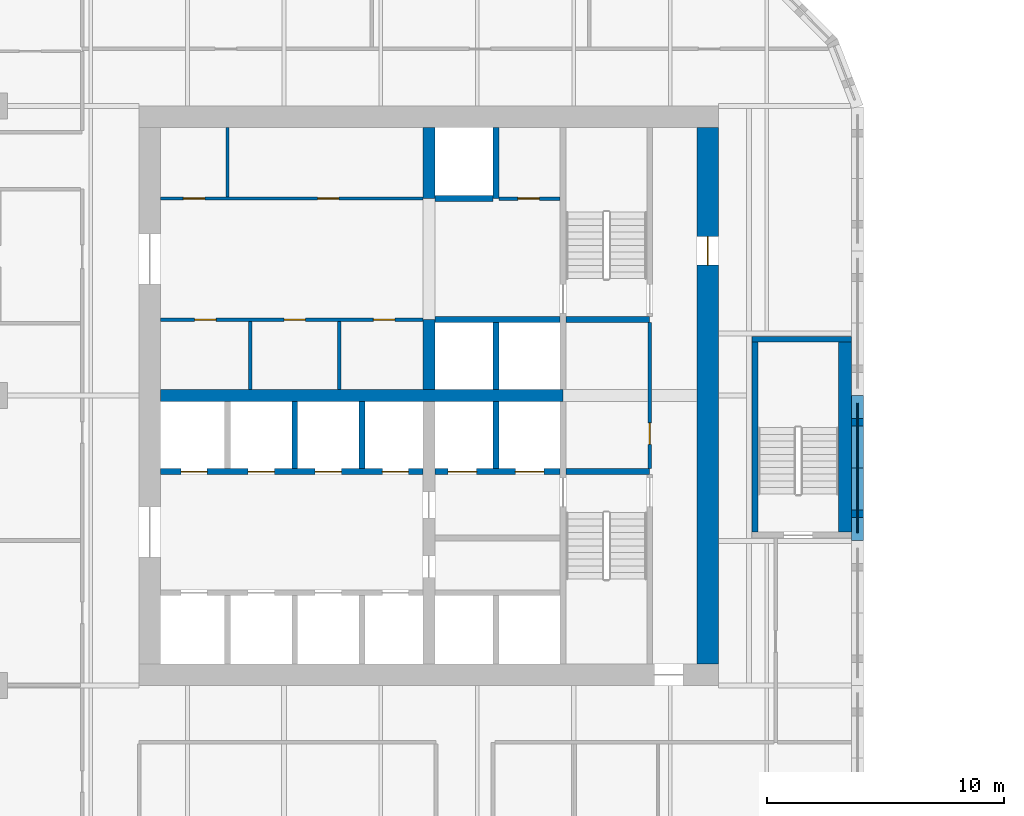
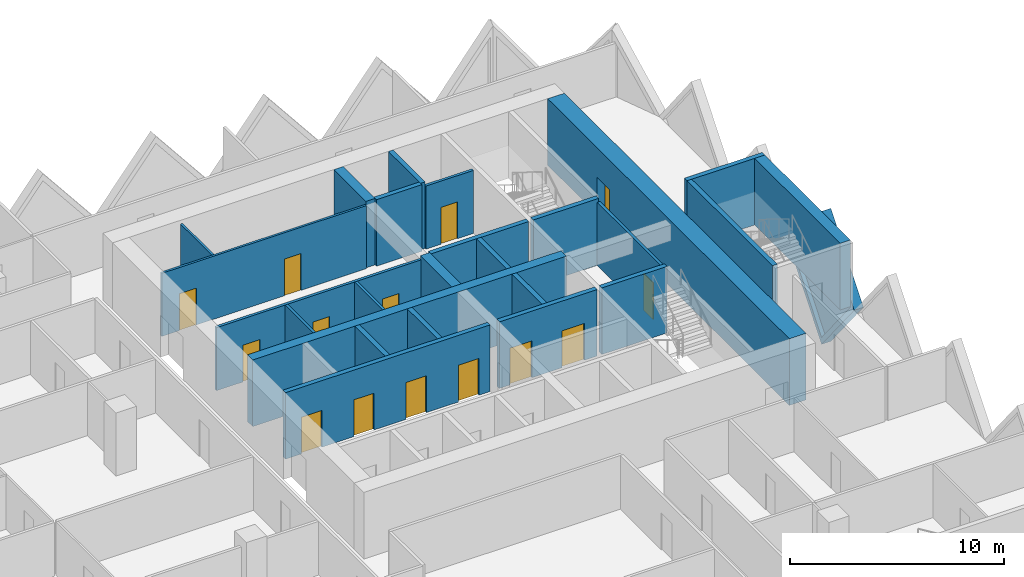
# One storey, part 9 of 18: 26 walls, 14 doors, 1 plate, 15 openings.
"""IFC4 building model written with IfcOpenShell, lengths in metres."""

from ifc_helpers import new_model, si_unit, direction, frame, frame_2d, origin, place, context, subcontext, project, spatial, polyline, rectangle, outline, extrude, source, transform, mapped, material, layer, layer_set, type_object, element, fill, save


model = new_model("IFC4")

# Units and contexts
model_context = context("Model", 3, precision=1e-05, world=origin(), true_north=direction((0.0, 1.0)))
body_context = subcontext(model_context, "Body", "Model", "MODEL_VIEW")
ifc_project = project(units=[si_unit("LENGTHUNIT", "METRE"), si_unit("AREAUNIT", "SQUARE_METRE"), si_unit("VOLUMEUNIT", "CUBIC_METRE"), si_unit("PLANEANGLEUNIT", "RADIAN"), si_unit("MASSUNIT", "GRAM", prefix="KILO")], contexts=[model_context])

# Site, building, storey
site_placement = place(None, origin())
site = spatial("IfcSite", under=ifc_project, at=site_placement, CompositionType="ELEMENT")
building_placement = place(site_placement, origin())
building = spatial("IfcBuilding", under=site, at=building_placement, Name="Tessera Gate Towers", CompositionType="ELEMENT")
storey_placement = place(building_placement, frame((0.0, 0.0, 56.199951171875)))
storey = spatial("IfcBuildingStorey", under=building, at=storey_placement, Name="L13", CompositionType="ELEMENT", Elevation=56.199951171875)

# Wall, openings, doors
ifc_material_1 = material(Name="Concrete C40/50", Category="concrete")
ifc_layer_1 = layer(ifc_material_1, 0.25)
ifc_layer_set_1 = layer_set([ifc_layer_1], Name="CORE ENCLOSURE WALL 250")
wall_type_1 = type_object("IfcWallType", Name="CORE ENCLOSURE WALL 250", PredefinedType="SOLIDWALL", material=ifc_layer_set_1)
wall_1_placement = place(storey_placement, frame((42.449951171875, 33.39990234375, 0.0), z_axis=(0.0, 0.0, 1.0), x_axis=(-1.0, 0.0, 0.0)))
wall_1 = element("IfcWall", 1, at=wall_1_placement, inside=storey, type_object=wall_type_1, Name="L13 shaft and stair enclosure wall", PredefinedType="SOLIDWALL", context=body_context, shape_type="SweptSolid", body=[
    extrude(rectangle(XDim=11.050048828125, YDim=0.25, at=frame_2d((5.52490234375, 0.0))), origin(), (0.0, 0.0, 1.0), 3.800048828125),
])
shared_shape_1 = source(origin(), body_context, "Body", "SweptSolid", [
    extrude(rectangle(XDim=1.10009765625, YDim=2.10009765625, at=frame_2d((0.550048828125, 1.050048828125))), frame((0.0, 0.135009765625, 0.0), z_axis=(0.0, -1.0, 0.0), x_axis=(1.0, 0.0, 0.0)), (0.0, 0.0, 1.0), 0.27001953125),
])
opening_1_placement = place(wall_1_placement, frame((9.08740234375, 0.0, 0.0)))
opening_1 = element("IfcOpeningElement", 2, at=opening_1_placement, cuts=wall_1, Name="Opening LD-LR5", PredefinedType="OPENING", context=body_context, shape_type="MappedRepresentation", body=[
    mapped(shared_shape_1, transform((0.0, 0.0, 0.0), scale=1.0)),
])
opening_2_placement = place(wall_1_placement, frame((6.262451171875, 0.0, 0.0)))
opening_2 = element("IfcOpeningElement", 3, at=opening_2_placement, cuts=wall_1, Name="Opening LD-LR6", PredefinedType="OPENING", context=body_context, shape_type="MappedRepresentation", body=[
    mapped(shared_shape_1, transform((0.0, 0.0, 0.0), scale=1.0)),
])
opening_3_placement = place(wall_1_placement, frame((3.4375, 0.0, 0.0)))
opening_3 = element("IfcOpeningElement", 4, at=opening_3_placement, cuts=wall_1, Name="Opening LD-LR7", PredefinedType="OPENING", context=body_context, shape_type="MappedRepresentation", body=[
    mapped(shared_shape_1, transform((0.0, 0.0, 0.0), scale=1.0)),
])
opening_4_placement = place(wall_1_placement, frame((0.612548828125, 0.0, 0.0)))
opening_4 = element("IfcOpeningElement", 5, at=opening_4_placement, cuts=wall_1, Name="Opening LD-LR8", PredefinedType="OPENING", context=body_context, shape_type="MappedRepresentation", body=[
    mapped(shared_shape_1, transform((0.0, 0.0, 0.0), scale=1.0)),
])
ifc_material_2 = material(Name="Stainless steel", Category="steel")
door_type_1 = type_object("IfcDoorType", Name="CORE DOOR LD 1100x2100", OperationType="DOUBLE_DOOR_SLIDING", PredefinedType="DOOR", material=ifc_material_2)
shared_shape_2 = source(origin(), body_context, "Body", "SweptSolid", [
    extrude(rectangle(XDim=1.10009765625, YDim=2.10009765625, at=frame_2d((0.550048828125, 1.050048828125))), frame((0.0, 0.02490234375, 0.0), z_axis=(0.0, -1.0, 0.0), x_axis=(1.0, 0.0, 0.0)), (0.0, 0.0, 1.0), 0.050048828125),
])
door_1_placement = place(opening_1_placement, origin())
door_1 = element("IfcDoor", 6, at=door_1_placement, inside=storey, type_object=door_type_1, Name="Landing door LR5 L13", OperationType="DOUBLE_DOOR_SLIDING", OverallHeight=2.10009765625, OverallWidth=1.10009765625, PredefinedType="DOOR", context=body_context, shape_type="MappedRepresentation", body=[
    mapped(shared_shape_2, transform((0.0, 0.0, 0.0), scale=1.0)),
])
fill(opening_1, door_1)
door_2_placement = place(opening_2_placement, origin())
door_2 = element("IfcDoor", 7, at=door_2_placement, inside=storey, type_object=door_type_1, Name="Landing door LR6 L13", OperationType="DOUBLE_DOOR_SLIDING", OverallHeight=2.10009765625, OverallWidth=1.10009765625, PredefinedType="DOOR", context=body_context, shape_type="MappedRepresentation", body=[
    mapped(shared_shape_2, transform((0.0, 0.0, 0.0), scale=1.0)),
])
fill(opening_2, door_2)
door_3_placement = place(opening_3_placement, origin())
door_3 = element("IfcDoor", 8, at=door_3_placement, inside=storey, type_object=door_type_1, Name="Landing door LR7 L13", OperationType="DOUBLE_DOOR_SLIDING", OverallHeight=2.10009765625, OverallWidth=1.10009765625, PredefinedType="DOOR", context=body_context, shape_type="MappedRepresentation", body=[
    mapped(shared_shape_2, transform((0.0, 0.0, 0.0), scale=1.0)),
])
fill(opening_3, door_3)
door_4_placement = place(opening_4_placement, origin())
door_4 = element("IfcDoor", 9, at=door_4_placement, inside=storey, type_object=door_type_1, Name="Landing door LR8 L13", OperationType="DOUBLE_DOOR_SLIDING", OverallHeight=2.10009765625, OverallWidth=1.10009765625, PredefinedType="DOOR", context=body_context, shape_type="MappedRepresentation", body=[
    mapped(shared_shape_2, transform((0.0, 0.0, 0.0), scale=1.0)),
])
fill(opening_4, door_4)

wall_2_placement = place(storey_placement, frame((48.22509765625, 33.39990234375, 0.0), z_axis=(0.0, 0.0, 1.0), x_axis=(-1.0, 0.0, 0.0)))
wall_2 = element("IfcWall", 10, at=wall_2_placement, inside=storey, type_object=wall_type_1, Name="L13 shaft and stair enclosure wall", PredefinedType="SOLIDWALL", context=body_context, shape_type="SweptSolid", body=[
    extrude(rectangle(XDim=5.275146484375, YDim=0.25, at=frame_2d((2.6376953125, 0.0))), origin(), (0.0, 0.0, 1.0), 3.800048828125),
])
shared_shape_3 = source(origin(), body_context, "Body", "SweptSolid", [
    extrude(rectangle(XDim=1.199951171875, YDim=2.10009765625, at=frame_2d((0.60009765625, 1.050048828125))), frame((0.0, 0.135009765625, 0.0), z_axis=(0.0, -1.0, 0.0), x_axis=(1.0, 0.0, 0.0)), (0.0, 0.0, 1.0), 0.27001953125),
])
opening_5_placement = place(wall_2_placement, frame((3.512451171875, 0.0, 0.0)))
opening_5 = element("IfcOpeningElement", 11, at=opening_5_placement, cuts=wall_2, Name="Opening LD-FF1", PredefinedType="OPENING", context=body_context, shape_type="MappedRepresentation", body=[
    mapped(shared_shape_3, transform((0.0, 0.0, 0.0), scale=1.0)),
])
opening_6_placement = place(wall_2_placement, frame((0.6875, 0.0, 0.0)))
opening_6 = element("IfcOpeningElement", 12, at=opening_6_placement, cuts=wall_2, Name="Opening LD-FF2", PredefinedType="OPENING", context=body_context, shape_type="MappedRepresentation", body=[
    mapped(shared_shape_3, transform((0.0, 0.0, 0.0), scale=1.0)),
])
ifc_material_3 = material(Name="Stainless steel", Category="steel")
door_type_2 = type_object("IfcDoorType", Name="CORE DOOR LD1200 1200x2100", OperationType="DOUBLE_DOOR_SLIDING", PredefinedType="DOOR", material=ifc_material_3)
shared_shape_4 = source(origin(), body_context, "Body", "SweptSolid", [
    extrude(rectangle(XDim=1.199951171875, YDim=2.10009765625, at=frame_2d((0.60009765625, 1.050048828125))), frame((0.0, 0.02490234375, 0.0), z_axis=(0.0, -1.0, 0.0), x_axis=(1.0, 0.0, 0.0)), (0.0, 0.0, 1.0), 0.050048828125),
])
door_5_placement = place(opening_5_placement, origin())
door_5 = element("IfcDoor", 13, at=door_5_placement, inside=storey, type_object=door_type_2, Name="Landing door FF1 L13", OperationType="DOUBLE_DOOR_SLIDING", OverallHeight=2.10009765625, OverallWidth=1.199951171875, PredefinedType="DOOR", context=body_context, shape_type="MappedRepresentation", body=[
    mapped(shared_shape_4, transform((0.0, 0.0, 0.0), scale=1.0)),
])
fill(opening_5, door_5)
door_6_placement = place(opening_6_placement, origin())
door_6 = element("IfcDoor", 14, at=door_6_placement, inside=storey, type_object=door_type_2, Name="Landing door FF2 L13", OperationType="DOUBLE_DOOR_SLIDING", OverallHeight=2.10009765625, OverallWidth=1.199951171875, PredefinedType="DOOR", context=body_context, shape_type="MappedRepresentation", body=[
    mapped(shared_shape_4, transform((0.0, 0.0, 0.0), scale=1.0)),
])
fill(opening_6, door_6)

# Walls
wall_3_placement = place(storey_placement, frame((48.47509765625, 33.39990234375, 0.0), z_axis=(0.0, 0.0, 1.0), x_axis=(1.0, 0.0, 0.0)))
element("IfcWall", 15, at=wall_3_placement, inside=storey, type_object=wall_type_1, Name="L13 shaft and stair enclosure wall", PredefinedType="SOLIDWALL", context=body_context, shape_type="SweptSolid", body=[
    extrude(rectangle(XDim=3.52490234375, YDim=0.25, at=frame_2d((1.762451171875, 0.0))), origin(), (0.0, 0.0, 1.0), 3.800048828125),
])
wall_4_placement = place(storey_placement, frame((42.949951171875, 39.800048828125, 0.0), z_axis=(0.0, 0.0, 1.0), x_axis=(1.0, 0.0, 0.0)))
element("IfcWall", 16, at=wall_4_placement, inside=storey, type_object=wall_type_1, Name="L13 shaft and stair enclosure wall", PredefinedType="SOLIDWALL", context=body_context, shape_type="SweptSolid", body=[
    extrude(rectangle(XDim=5.275146484375, YDim=0.25, at=frame_2d((2.6376953125, 0.0))), origin(), (0.0, 0.0, 1.0), 3.800048828125),
])
wall_5_placement = place(storey_placement, frame((48.47509765625, 39.800048828125, 0.0), z_axis=(0.0, 0.0, 1.0), x_axis=(1.0, 0.0, 0.0)))
element("IfcWall", 17, at=wall_5_placement, inside=storey, type_object=wall_type_1, Name="L13 shaft and stair enclosure wall", PredefinedType="SOLIDWALL", context=body_context, shape_type="SweptSolid", body=[
    extrude(rectangle(XDim=3.52490234375, YDim=0.25, at=frame_2d((1.762451171875, 0.0))), origin(), (0.0, 0.0, 1.0), 3.800048828125),
])
wall_6_placement = place(storey_placement, frame((45.52490234375, 33.52490234375, 0.0), z_axis=(0.0, 0.0, 1.0), x_axis=(0.0, 1.0, 0.0)))
element("IfcWall", 18, at=wall_6_placement, inside=storey, type_object=wall_type_1, Name="L13 shaft and stair enclosure wall", PredefinedType="SOLIDWALL", context=body_context, shape_type="SweptSolid", body=[
    extrude(rectangle(XDim=2.8251953125, YDim=0.25, at=frame_2d((1.41259765625, 0.0))), origin(), (0.0, 0.0, 1.0), 3.800048828125),
])
wall_7_placement = place(storey_placement, frame((45.52490234375, 36.85009765625, 0.0), z_axis=(0.0, 0.0, 1.0), x_axis=(0.0, 1.0, 0.0)))
element("IfcWall", 19, at=wall_7_placement, inside=storey, type_object=wall_type_1, Name="L13 shaft and stair enclosure wall", PredefinedType="SOLIDWALL", context=body_context, shape_type="SweptSolid", body=[
    extrude(rectangle(XDim=2.824951171875, YDim=0.25, at=frame_2d((1.41259765625, 0.0))), origin(), (0.0, 0.0, 1.0), 3.800048828125),
])
for number, where, z_axis, x_axis, name in (
    (20, (37.050048828125, 33.52490234375, 0.0), (0.0, 0.0, 1.0), (0.0, 1.0, 0.0), "L13 shaft and stair enclosure wall"),
    (21, (39.875, 33.52490234375, 0.0), (0.0, 0.0, 1.0), (0.0, 1.0, 0.0), "L13 shaft and stair enclosure wall"),
):
    element("IfcWall", number, at=place(storey_placement, frame(where, z_axis=z_axis, x_axis=x_axis)), inside=storey, type_object=wall_type_1, Name=name, PredefinedType="SOLIDWALL", context=body_context, shape_type="SweptSolid", body=[
        extrude(rectangle(XDim=2.8251953125, YDim=0.25, at=frame_2d((1.41259765625, 0.0))), origin(), (0.0, 0.0, 1.0), 3.800048828125),
    ])
wall_8_placement = place(storey_placement, frame((45.52490234375, 44.89990234375, 0.0), z_axis=(0.0, 0.0, 1.0), x_axis=(0.0, 1.0, 0.0)))
element("IfcWall", 22, at=wall_8_placement, inside=storey, type_object=wall_type_1, Name="L13 shaft and stair enclosure wall", PredefinedType="SOLIDWALL", context=body_context, shape_type="SweptSolid", body=[
    extrude(rectangle(XDim=3.0, YDim=0.25, at=frame_2d((1.5, 0.0))), origin(), (0.0, 0.0, 1.0), 3.800048828125),
])
wall_9_placement = place(storey_placement, frame((42.949951171875, 44.89990234375, 0.0), z_axis=(0.0, 0.0, 1.0), x_axis=(1.0, 0.0, 0.0)))
element("IfcWall", 23, at=wall_9_placement, inside=storey, type_object=wall_type_1, Name="L13 shaft and stair enclosure wall", PredefinedType="SOLIDWALL", context=body_context, shape_type="SweptSolid", body=[
    extrude(rectangle(XDim=2.449951171875, YDim=0.25, at=frame_2d((1.22509765625, 0.0))), origin(), (0.0, 0.0, 1.0), 3.800048828125),
])
wall_10_placement = place(storey_placement, frame((56.425048828125, 30.85009765625, 0.0), z_axis=(0.0, 0.0, 1.0), x_axis=(0.0, 1.0, 0.0)))
element("IfcWall", 24, at=wall_10_placement, inside=storey, type_object=wall_type_1, Name="L13 ST5 enclosure wall", PredefinedType="SOLIDWALL", context=body_context, shape_type="SweptSolid", body=[
    extrude(rectangle(XDim=8.0, YDim=0.25, at=frame_2d((4.0, 0.0))), origin(), (0.0, 0.0, 1.0), 3.800048828125),
])
wall_11_placement = place(storey_placement, frame((56.300048828125, 38.97509765625, 0.0), z_axis=(0.0, 0.0, 1.0), x_axis=(1.0, 0.0, 0.0)))
element("IfcWall", 25, at=wall_11_placement, inside=storey, type_object=wall_type_1, Name="L13 ST5 enclosure wall", PredefinedType="SOLIDWALL", context=body_context, shape_type="SweptSolid", body=[
    extrude(rectangle(XDim=4.199951171875, YDim=0.25, at=frame_2d((2.10009765625, 0.0))), origin(), (0.0, 0.0, 1.0), 3.800048828125),
])
ifc_material_4 = material(Name="Concrete C40/50", Category="concrete")
ifc_layer_2 = layer(ifc_material_4, 0.550048828125)
ifc_layer_set_2 = layer_set([ifc_layer_2], Name="CORE ENCLOSURE WALL 550")
wall_type_2 = type_object("IfcWallType", Name="CORE ENCLOSURE WALL 550", PredefinedType="SOLIDWALL", material=ifc_layer_set_2)
wall_12_placement = place(storey_placement, frame((60.22509765625, 38.85009765625, 0.0), z_axis=(0.0, 0.0, 1.0), x_axis=(0.0, -1.0, 0.0)))
element("IfcWall", 26, at=wall_12_placement, inside=storey, type_object=wall_type_2, Name="L13 ST5 enclosure wall", PredefinedType="SOLIDWALL", context=body_context, shape_type="SweptSolid", body=[
    extrude(rectangle(XDim=8.0, YDim=0.550048828125, at=frame_2d((4.0, 0.0))), origin(), (0.0, 0.0, 1.0), 3.800048828125),
])

# Wall, openings, doors
ifc_material_5 = material(Name="Gypsum board on steel studs", Category="steel")
ifc_layer_3 = layer(ifc_material_5, 0.1201171875)
ifc_layer_set_3 = layer_set([ifc_layer_3], Name="CORE PARTITION 120")
wall_type_3 = type_object("IfcWallType", Name="CORE PARTITION 120", PredefinedType="PARTITIONING", material=ifc_layer_set_3)
wall_13_placement = place(storey_placement, frame((31.39990234375, 44.89990234375, 0.0), z_axis=(0.0, 0.0, 1.0), x_axis=(1.0, 0.0, 0.0)))
wall_13 = element("IfcWall", 27, at=wall_13_placement, inside=storey, type_object=wall_type_3, Name="L13 core partition", PredefinedType="PARTITIONING", context=body_context, shape_type="SweptSolid", body=[
    extrude(rectangle(XDim=11.050048828125, YDim=0.1201171875, at=frame_2d((5.52490234375, 0.0))), origin(), (0.0, 0.0, 1.0), 3.60009765625),
])
shared_shape_5 = source(origin(), body_context, "Body", "SweptSolid", [
    extrude(rectangle(XDim=0.89990234375, YDim=2.10009765625, at=frame_2d((0.449951171875, 1.050048828125))), frame((0.0, 0.070068359375, 0.0), z_axis=(0.0, -1.0, 0.0), x_axis=(1.0, 0.0, 0.0)), (0.0, 0.0, 1.0), 0.14013671875),
])
opening_7_placement = place(wall_13_placement, frame((0.96240234375, 0.0, 0.0)))
opening_7 = element("IfcOpeningElement", 28, at=opening_7_placement, cuts=wall_13, Name="Opening RD-T1-09-10", PredefinedType="OPENING", context=body_context, shape_type="MappedRepresentation", body=[
    mapped(shared_shape_5, transform((0.0, 0.0, 0.0), scale=1.0)),
])
opening_8_placement = place(wall_13_placement, frame((6.612548828125, 0.0, 0.0)))
opening_8 = element("IfcOpeningElement", 29, at=opening_8_placement, cuts=wall_13, Name="Opening RD-T1-09-11", PredefinedType="OPENING", context=body_context, shape_type="MappedRepresentation", body=[
    mapped(shared_shape_5, transform((0.0, 0.0, 0.0), scale=1.0)),
])
ifc_material_6 = material(Name="Hollow steel fire door", Category="steel")
door_type_3 = type_object("IfcDoorType", Name="CORE DOOR RD 900x2100", OperationType="NOTDEFINED", PredefinedType="DOOR", material=ifc_material_6)
shared_shape_6 = source(origin(), body_context, "Body", "SweptSolid", [
    extrude(rectangle(XDim=0.89990234375, YDim=2.10009765625, at=frame_2d((0.449951171875, 1.050048828125))), frame((0.0, 0.02490234375, 0.0), z_axis=(0.0, -1.0, 0.0), x_axis=(1.0, 0.0, 0.0)), (0.0, 0.0, 1.0), 0.050048828125),
])
door_7_placement = place(opening_7_placement, origin())
door_7 = element("IfcDoor", 30, at=door_7_placement, inside=storey, type_object=door_type_3, Name="Core room door", OperationType="SINGLE_SWING_LEFT", OverallHeight=2.10009765625, OverallWidth=0.89990234375, PredefinedType="DOOR", context=body_context, shape_type="MappedRepresentation", body=[
    mapped(shared_shape_6, transform((0.0, 0.0, 0.0), scale=1.0)),
])
fill(opening_7, door_7)
door_8_placement = place(opening_8_placement, origin())
door_8 = element("IfcDoor", 31, at=door_8_placement, inside=storey, type_object=door_type_3, Name="Core room door", OperationType="SINGLE_SWING_RIGHT", OverallHeight=2.10009765625, OverallWidth=0.89990234375, PredefinedType="DOOR", context=body_context, shape_type="MappedRepresentation", body=[
    mapped(shared_shape_6, transform((0.0, 0.0, 0.0), scale=1.0)),
])
fill(opening_8, door_8)

# Wall
wall_14_placement = place(storey_placement, frame((34.22509765625, 44.9599609375, 0.0), z_axis=(0.0, 0.0, 1.0), x_axis=(0.0, 1.0, 0.0)))
element("IfcWall", 32, at=wall_14_placement, inside=storey, type_object=wall_type_3, Name="L13 core partition", PredefinedType="PARTITIONING", context=body_context, shape_type="SweptSolid", body=[
    extrude(rectangle(XDim=2.93994140625, YDim=0.1201171875, at=frame_2d((1.469970703125, 0.0))), origin(), (0.0, 0.0, 1.0), 3.60009765625),
])

# Wall, opening, door
ifc_material_7 = material(Name="Concrete C70/85", Category="concrete")
ifc_layer_4 = layer(ifc_material_7, 0.89990234375)
ifc_layer_set_4 = layer_set([ifc_layer_4], Name="CORE SHEAR WALL 900 C70/85")
wall_type_4 = type_object("IfcWallType", Name="CORE SHEAR WALL 900 C70/85", PredefinedType="SHEAR", material=ifc_layer_set_4)
wall_15_placement = place(storey_placement, frame((54.449951171875, 47.89990234375, 0.0), z_axis=(0.0, 0.0, 1.0), x_axis=(0.0, -1.0, 0.0)))
wall_15 = element("IfcWall", 33, at=wall_15_placement, inside=storey, type_object=wall_type_4, Name="Core wall E L13", PredefinedType="SHEAR", context=body_context, shape_type="SweptSolid", body=[
    extrude(rectangle(XDim=22.599853515625, YDim=0.89990234375, at=frame_2d((11.2998046875, 0.0))), origin(), (0.0, 0.0, 1.0), 3.800048828125),
])
shared_shape_7 = source(origin(), body_context, "Body", "SweptSolid", [
    extrude(rectangle(XDim=1.199951171875, YDim=2.10009765625, at=frame_2d((0.60009765625, 1.050048828125))), frame((0.0, 0.4599609375, 0.0), z_axis=(0.0, -1.0, 0.0), x_axis=(1.0, 0.0, 0.0)), (0.0, 0.0, 1.0), 0.919921875),
])
opening_9_placement = place(wall_15_placement, frame((4.60009765625, 0.0, 0.0)))
opening_9 = element("IfcOpeningElement", 34, at=opening_9_placement, cuts=wall_15, Name="Opening ED-T1-09-04", PredefinedType="OPENING", context=body_context, shape_type="MappedRepresentation", body=[
    mapped(shared_shape_7, transform((0.0, 0.0, 0.0), scale=1.0)),
])
ifc_material_8 = material(Name="Hollow steel fire door", Category="steel")
door_type_4 = type_object("IfcDoorType", Name="CORE DOOR ED 1200x2100", OperationType="NOTDEFINED", PredefinedType="DOOR", material=ifc_material_8)
door_9_placement = place(opening_9_placement, origin())
door_9 = element("IfcDoor", 35, at=door_9_placement, inside=storey, type_object=door_type_4, Name="Core exit door", OperationType="SINGLE_SWING_LEFT", OverallHeight=2.10009765625, OverallWidth=1.199951171875, PredefinedType="DOOR", context=body_context, shape_type="MappedRepresentation", body=[
    mapped(shared_shape_4, transform((0.0, 0.0, 0.0), scale=1.0)),
])
fill(opening_9, door_9)

# Walls
ifc_material_9 = material(Name="Concrete C70/85", Category="concrete")
ifc_layer_5 = layer(ifc_material_9, 0.5)
ifc_layer_set_5 = layer_set([ifc_layer_5], Name="CORE SPINE WALL 500 C70/85")
wall_type_5 = type_object("IfcWallType", Name="CORE SPINE WALL 500 C70/85", PredefinedType="SHEAR", material=ifc_layer_set_5)
wall_16_placement = place(storey_placement, frame((31.39990234375, 36.60009765625, 0.0), z_axis=(0.0, 0.0, 1.0), x_axis=(1.0, 0.0, 0.0)))
element("IfcWall", 36, at=wall_16_placement, inside=storey, type_object=wall_type_5, Name="Core wall spine L13", PredefinedType="SHEAR", context=body_context, shape_type="SweptSolid", body=[
    extrude(rectangle(XDim=16.9501953125, YDim=0.5, at=frame_2d((8.47509765625, 0.0))), origin(), (0.0, 0.0, 1.0), 3.800048828125),
])
wall_17_placement = place(storey_placement, frame((42.699951171875, 36.85009765625, 0.0), z_axis=(0.0, 0.0, 1.0), x_axis=(0.0, 1.0, 0.0)))
element("IfcWall", 37, at=wall_17_placement, inside=storey, type_object=wall_type_5, Name="Core wall spine L13", PredefinedType="SHEAR", context=body_context, shape_type="SweptSolid", body=[
    extrude(rectangle(XDim=2.949951171875, YDim=0.5, at=frame_2d((1.47509765625, 0.0))), origin(), (0.0, 0.0, 1.0), 3.800048828125),
])
wall_18_placement = place(storey_placement, frame((42.699951171875, 44.89990234375, 0.0), z_axis=(0.0, 0.0, 1.0), x_axis=(0.0, 1.0, 0.0)))
element("IfcWall", 38, at=wall_18_placement, inside=storey, type_object=wall_type_5, Name="Core wall spine L13", PredefinedType="SHEAR", context=body_context, shape_type="SweptSolid", body=[
    extrude(rectangle(XDim=3.0, YDim=0.5, at=frame_2d((1.5, 0.0))), origin(), (0.0, 0.0, 1.0), 3.800048828125),
])

# Wall, openings, doors
ifc_material_10 = material(Name="Gypsum board on steel studs", Category="steel")
ifc_layer_6 = layer(ifc_material_10, 0.14990234375)
ifc_layer_set_6 = layer_set([ifc_layer_6], Name="SERVICE ROOM WALL 150")
wall_type_6 = type_object("IfcWallType", Name="SERVICE ROOM WALL 150", PredefinedType="PARTITIONING", material=ifc_layer_set_6)
wall_19_placement = place(storey_placement, frame((42.449951171875, 39.800048828125, 0.0), z_axis=(0.0, 0.0, 1.0), x_axis=(-1.0, 0.0, 0.0)))
wall_19 = element("IfcWall", 39, at=wall_19_placement, inside=storey, type_object=wall_type_6, Name="L13 service room wall", PredefinedType="PARTITIONING", context=body_context, shape_type="SweptSolid", body=[
    extrude(rectangle(XDim=11.050048828125, YDim=0.14990234375, at=frame_2d((5.52490234375, 0.0))), origin(), (0.0, 0.0, 1.0), 3.60009765625),
])
shared_shape_8 = source(origin(), body_context, "Body", "SweptSolid", [
    extrude(rectangle(XDim=0.89990234375, YDim=2.10009765625, at=frame_2d((0.449951171875, 1.050048828125))), frame((0.0, 0.0849609375, 0.0), z_axis=(0.0, -1.0, 0.0), x_axis=(1.0, 0.0, 0.0)), (0.0, 0.0, 1.0), 0.169921875),
])
opening_10_placement = place(wall_19_placement, frame((8.71240234375, 0.0, 0.0)))
opening_10 = element("IfcOpeningElement", 40, at=opening_10_placement, cuts=wall_19, Name="Opening RD-T1-09-07", PredefinedType="OPENING", context=body_context, shape_type="MappedRepresentation", body=[
    mapped(shared_shape_8, transform((0.0, 0.0, 0.0), scale=1.0)),
])
opening_11_placement = place(wall_19_placement, frame((4.949951171875, 0.0, 0.0)))
opening_11 = element("IfcOpeningElement", 41, at=opening_11_placement, cuts=wall_19, Name="Opening RD-T1-09-08", PredefinedType="OPENING", context=body_context, shape_type="MappedRepresentation", body=[
    mapped(shared_shape_8, transform((0.0, 0.0, 0.0), scale=1.0)),
])
opening_12_placement = place(wall_19_placement, frame((1.1875, 0.0, 0.0)))
opening_12 = element("IfcOpeningElement", 42, at=opening_12_placement, cuts=wall_19, Name="Opening RD-T1-09-09", PredefinedType="OPENING", context=body_context, shape_type="MappedRepresentation", body=[
    mapped(shared_shape_8, transform((0.0, 0.0, 0.0), scale=1.0)),
])
door_10_placement = place(opening_10_placement, origin())
door_10 = element("IfcDoor", 43, at=door_10_placement, inside=storey, type_object=door_type_3, Name="Core room door", OperationType="SINGLE_SWING_RIGHT", OverallHeight=2.10009765625, OverallWidth=0.89990234375, PredefinedType="DOOR", context=body_context, shape_type="MappedRepresentation", body=[
    mapped(shared_shape_6, transform((0.0, 0.0, 0.0), scale=1.0)),
])
fill(opening_10, door_10)
door_11_placement = place(opening_11_placement, origin())
door_11 = element("IfcDoor", 44, at=door_11_placement, inside=storey, type_object=door_type_3, Name="Core room door", OperationType="SINGLE_SWING_LEFT", OverallHeight=2.10009765625, OverallWidth=0.89990234375, PredefinedType="DOOR", context=body_context, shape_type="MappedRepresentation", body=[
    mapped(shared_shape_6, transform((0.0, 0.0, 0.0), scale=1.0)),
])
fill(opening_11, door_11)
door_12_placement = place(opening_12_placement, origin())
door_12 = element("IfcDoor", 45, at=door_12_placement, inside=storey, type_object=door_type_3, Name="Core room door", OperationType="SINGLE_SWING_LEFT", OverallHeight=2.10009765625, OverallWidth=0.89990234375, PredefinedType="DOOR", context=body_context, shape_type="MappedRepresentation", body=[
    mapped(shared_shape_6, transform((0.0, 0.0, 0.0), scale=1.0)),
])
fill(opening_12, door_12)

# Wall, opening, door
wall_20_placement = place(storey_placement, frame((52.0, 33.52490234375, 0.0), z_axis=(0.0, 0.0, 1.0), x_axis=(0.0, 1.0, 0.0)))
wall_20 = element("IfcWall", 46, at=wall_20_placement, inside=storey, type_object=wall_type_6, Name="L13 service room wall", PredefinedType="PARTITIONING", context=body_context, shape_type="SweptSolid", body=[
    extrude(rectangle(XDim=6.150146484375, YDim=0.14990234375, at=frame_2d((3.0751953125, 0.0))), origin(), (0.0, 0.0, 1.0), 3.60009765625),
])
opening_13_placement = place(wall_20_placement, frame((1.02490234375, 0.0, 0.0)))
opening_13 = element("IfcOpeningElement", 47, at=opening_13_placement, cuts=wall_20, Name="Opening RD-T1-09-12", PredefinedType="OPENING", context=body_context, shape_type="MappedRepresentation", body=[
    mapped(shared_shape_8, transform((0.0, 0.0, 0.0), scale=1.0)),
])
door_13_placement = place(opening_13_placement, origin())
door_13 = element("IfcDoor", 48, at=door_13_placement, inside=storey, type_object=door_type_3, Name="Core room door", OperationType="SINGLE_SWING_LEFT", OverallHeight=2.10009765625, OverallWidth=0.89990234375, PredefinedType="DOOR", context=body_context, shape_type="MappedRepresentation", body=[
    mapped(shared_shape_6, transform((0.0, 0.0, 0.0), scale=1.0)),
])
fill(opening_13, door_13)

# Walls
for number, where, z_axis, x_axis, name in (
    (49, (35.175048828125, 36.85009765625, 0.0), (0.0, 0.0, 1.0), (0.0, 1.0, 0.0), "L13 service room wall"),
    (50, (38.925048828125, 36.85009765625, 0.0), (0.0, 0.0, 1.0), (0.0, 1.0, 0.0), "L13 service room wall"),
):
    element("IfcWall", number, at=place(storey_placement, frame(where, z_axis=z_axis, x_axis=x_axis)), inside=storey, type_object=wall_type_6, Name=name, PredefinedType="PARTITIONING", context=body_context, shape_type="SweptSolid", body=[
        extrude(rectangle(XDim=2.875, YDim=0.14990234375, at=frame_2d((1.4375, 0.0))), origin(), (0.0, 0.0, 1.0), 3.60009765625),
    ])

# Wall, opening, door
wall_21_placement = place(storey_placement, frame((45.64990234375, 44.89990234375, 0.0), z_axis=(0.0, 0.0, 1.0), x_axis=(1.0, 0.0, 0.0)))
wall_21 = element("IfcWall", 51, at=wall_21_placement, inside=storey, type_object=wall_type_6, Name="L13 service room wall", PredefinedType="PARTITIONING", context=body_context, shape_type="SweptSolid", body=[
    extrude(rectangle(XDim=2.5751953125, YDim=0.14990234375, at=frame_2d((1.28759765625, 0.0))), origin(), (0.0, 0.0, 1.0), 3.60009765625),
])
opening_14_placement = place(wall_21_placement, frame((0.800048828125, 0.0, 0.0)))
opening_14 = element("IfcOpeningElement", 52, at=opening_14_placement, cuts=wall_21, Name="Opening RD-T1-09-13", PredefinedType="OPENING", context=body_context, shape_type="MappedRepresentation", body=[
    mapped(shared_shape_8, transform((0.0, 0.0, 0.0), scale=1.0)),
])
door_14_placement = place(opening_14_placement, origin())
door_14 = element("IfcDoor", 53, at=door_14_placement, inside=storey, type_object=door_type_3, Name="Core room door", OperationType="SINGLE_SWING_LEFT", OverallHeight=2.10009765625, OverallWidth=0.89990234375, PredefinedType="DOOR", context=body_context, shape_type="MappedRepresentation", body=[
    mapped(shared_shape_6, transform((0.0, 0.0, 0.0), scale=1.0)),
])
fill(opening_14, door_14)

# Wall, opening, plate
ifc_material_11 = material(Name="Precast concrete C60/75 white", Category="concrete")
ifc_layer_7 = layer(ifc_material_11, 0.5)
ifc_layer_set_7 = layer_set([ifc_layer_7], Name="TS1 tessera")
wall_type_7 = type_object("IfcWallType", Name="TS1 tessera", PredefinedType="SOLIDWALL", material=ifc_layer_set_7)
shared_shape_9 = source(origin(), body_context, "Body", "SweptSolid", [
    extrude(outline(polyline([(3.050048828125, 0.0), (6.10009765625, 3.800048828125), (3.050048828125, 7.60009765625), (0.0, 3.800048828125), (3.050048828125, 0.0)])), frame((0.0, 0.25, 0.0), z_axis=(0.0, -1.0, 0.0), x_axis=(1.0, 0.0, 0.0)), (0.0, 0.0, 1.0), 0.5),
])
wall_22_placement = place(storey_placement, frame((60.75, 30.5, -3.800048828125), z_axis=(0.0, 0.0, 1.0), x_axis=(0.0, 1.0, 0.0)))
wall_22 = element("IfcWall", 54, at=wall_22_placement, inside=storey, type_object=wall_type_7, Name="Precast tessera T1 TS1-0191", PredefinedType="SOLIDWALL", context=body_context, shape_type="MappedRepresentation", body=[
    mapped(shared_shape_9, transform((0.0, 0.0, 0.0), scale=1.0)),
])
shared_shape_10 = source(origin(), body_context, "Body", "SweptSolid", [
    extrude(outline(polyline([(3.050048828125, 0.3994140625), (5.779541015625, 3.800048828125), (3.050048828125, 7.20068359375), (0.320556640625, 3.800048828125), (3.050048828125, 0.3994140625)])), frame((0.0, 0.260009765625, 0.0), z_axis=(0.0, -1.0, 0.0), x_axis=(1.0, 0.0, 0.0)), (0.0, 0.0, 1.0), 0.52001953125),
])
opening_15_placement = place(wall_22_placement, origin())
opening_15 = element("IfcOpeningElement", 55, at=opening_15_placement, cuts=wall_22, Name="Opening T1-PL2-0389", PredefinedType="OPENING", context=body_context, shape_type="MappedRepresentation", body=[
    mapped(shared_shape_10, transform((0.0, 0.0, 0.0), scale=1.0)),
])
ifc_material_12 = material(Name="Low-e laminated glass", Category="glass")
ifc_layer_8 = layer(ifc_material_12, 0.06005859375)
ifc_layer_set_8 = layer_set([ifc_layer_8], Name="PL2 rhombic pane")
plate_type = type_object("IfcPlateType", Name="PL2 rhombic pane", PredefinedType="SHEET", material=ifc_layer_set_8)
shared_shape_11 = source(origin(), body_context, "Body", "SweptSolid", [
    extrude(outline(polyline([(3.050048828125, 0.3994140625), (5.779541015625, 3.800048828125), (3.050048828125, 7.20068359375), (0.320556640625, 3.800048828125), (3.050048828125, 0.3994140625)])), frame((0.0, 0.030029296875, 0.0), z_axis=(0.0, -1.0, 0.0), x_axis=(1.0, 0.0, 0.0)), (0.0, 0.0, 1.0), 0.06005859375),
])
plate_placement = place(opening_15_placement, origin())
plate = element("IfcPlate", 56, at=plate_placement, inside=storey, type_object=plate_type, Name="Glass pane T1 PL2-0389", PredefinedType="SHEET", context=body_context, shape_type="MappedRepresentation", body=[
    mapped(shared_shape_11, transform((0.0, 0.0, 0.0), scale=1.0)),
])
fill(opening_15, plate)

save(model, "model.ifc")
